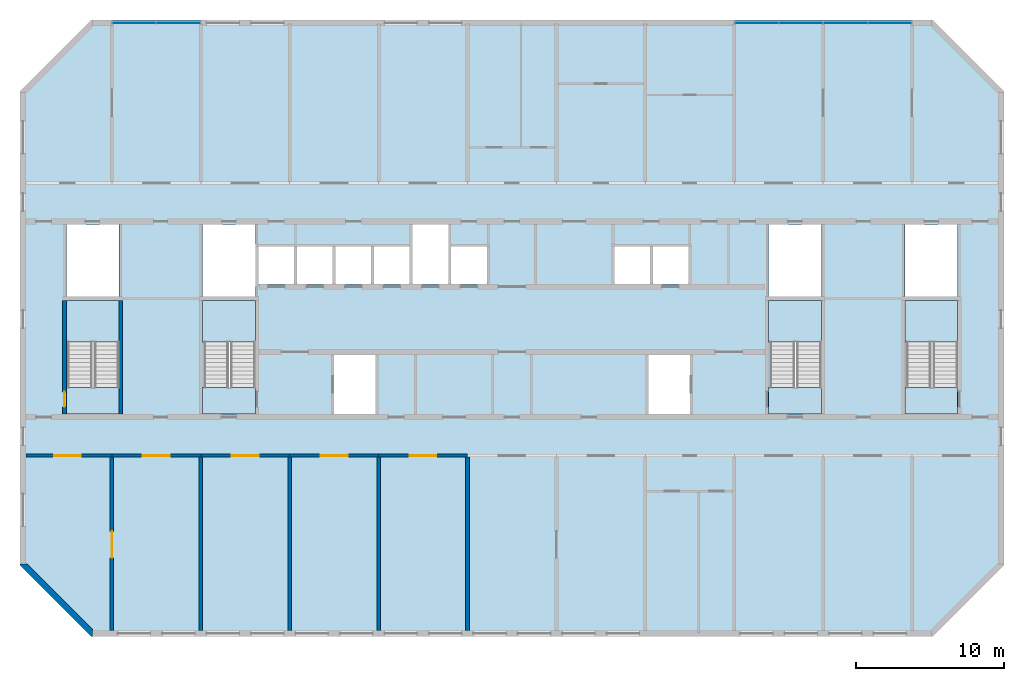
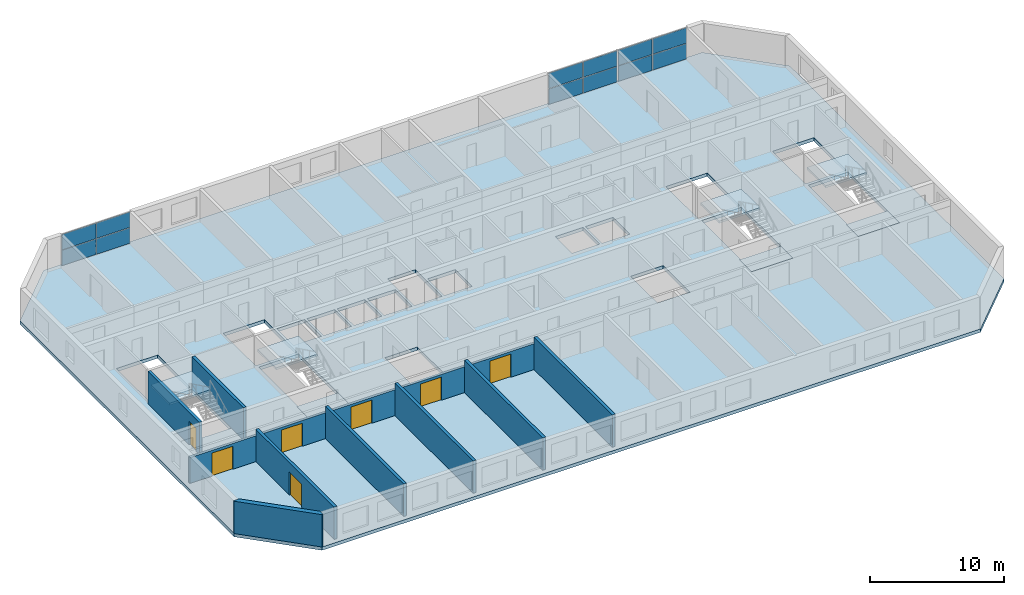
# One storey, part 4 of 13: 13 walls, 12 plates, 9 slabs, 7 doors, 7 openings, 7 elements without a shape of their own.
"""IFC4 building model written with IfcOpenShell, lengths in metres."""

from ifc_helpers import new_model, si_unit, direction, frame, frame_2d, origin, origin_2d, place, context, subcontext, project, spatial, polyline, rectangle, outline, extrude, source, transform, mapped, material, layer, layer_set, type_object, element, fill, aggregate, save


model = new_model("IFC4")

# Units and contexts
model_context = context("Model", 3, precision=1e-05, world=origin(), true_north=direction((0.0, 1.0)))
body_context = subcontext(model_context, "Body", "Model", "MODEL_VIEW")
ifc_project = project(units=[si_unit("LENGTHUNIT", "METRE"), si_unit("AREAUNIT", "SQUARE_METRE"), si_unit("VOLUMEUNIT", "CUBIC_METRE"), si_unit("PLANEANGLEUNIT", "RADIAN"), si_unit("MASSUNIT", "GRAM", prefix="KILO")], contexts=[model_context])

# Site, building, storey
site_placement = place(None, origin())
site = spatial("IfcSite", under=ifc_project, at=site_placement, CompositionType="ELEMENT")
building_placement = place(site_placement, origin())
building = spatial("IfcBuilding", under=site, at=building_placement, Name="Poui Terraces", CompositionType="ELEMENT")
storey_placement = place(building_placement, frame((0.0, 0.0, 211.5)))
storey = spatial("IfcBuildingStorey", under=building, at=storey_placement, Name="L59", CompositionType="ELEMENT", Elevation=211.5)

# Curtain wall, plates
ifc_material_1 = material(Name="Clear glass", Category="glass")
ifc_layer_1 = layer(ifc_material_1, 0.14990234375)
ifc_layer_set_1 = layer_set([ifc_layer_1], Name="Clear glass")
curtain_wall_type = type_object("IfcCurtainWallType", Name="CURTAIN WALL CW-C COMMUNITY HALL GLAZING", PredefinedType="NOTDEFINED", material=ifc_layer_set_1)
curtain_wall_1_placement = place(storey_placement, origin())
curtain_wall_1 = element("IfcCurtainWall", 1, at=curtain_wall_1_placement, inside=storey, type_object=curtain_wall_type, Name="CW-C COMMUNITY HALL GLAZING", PredefinedType="NOTDEFINED")
ifc_layer_2 = layer(ifc_material_1, 0.052001953125)
ifc_layer_set_2 = layer_set([ifc_layer_2], Name="Clear glass")
plate_type = type_object("IfcPlateType", Name="CW-C GLASS PANEL 52", PredefinedType="CURTAIN_PANEL", material=ifc_layer_set_2)
plate_1_placement = place(storey_placement, frame((28.487548828125, 41.199951171875, 0.050048828125), z_axis=(0.0, 0.0, 1.0), x_axis=(-1.0, 0.0, 0.0)))
plate_1 = element("IfcPlate", 2, at=plate_1_placement, type_object=plate_type, Name="CW-C panel 1.1", PredefinedType="CURTAIN_PANEL", context=body_context, shape_type="SweptSolid", body=[
    extrude(rectangle(XDim=2.925048828125, YDim=0.052001953125, at=origin_2d()), origin(), (0.0, 0.0, 1.0), 1.39990234375),
])
plate_2_placement = place(storey_placement, frame((28.487548828125, 41.199951171875, 1.5), z_axis=(0.0, 0.0, 1.0), x_axis=(-1.0, 0.0, 0.0)))
plate_2 = element("IfcPlate", 3, at=plate_2_placement, type_object=plate_type, Name="CW-C panel 1.2", PredefinedType="CURTAIN_PANEL", context=body_context, shape_type="SweptSolid", body=[
    extrude(rectangle(XDim=2.925048828125, YDim=0.052001953125, at=origin_2d()), origin(), (0.0, 0.0, 1.0), 1.39990234375),
])
plate_3_placement = place(storey_placement, frame((25.512451171875, 41.199951171875, 0.050048828125), z_axis=(0.0, 0.0, 1.0), x_axis=(-1.0, 0.0, 0.0)))
plate_3 = element("IfcPlate", 4, at=plate_3_placement, type_object=plate_type, Name="CW-C panel 2.1", PredefinedType="CURTAIN_PANEL", context=body_context, shape_type="SweptSolid", body=[
    extrude(rectangle(XDim=2.925048828125, YDim=0.052001953125, at=origin_2d()), origin(), (0.0, 0.0, 1.0), 1.39990234375),
])
plate_4_placement = place(storey_placement, frame((25.512451171875, 41.199951171875, 1.5), z_axis=(0.0, 0.0, 1.0), x_axis=(-1.0, 0.0, 0.0)))
plate_4 = element("IfcPlate", 5, at=plate_4_placement, type_object=plate_type, Name="CW-C panel 2.2", PredefinedType="CURTAIN_PANEL", context=body_context, shape_type="SweptSolid", body=[
    extrude(rectangle(XDim=2.925048828125, YDim=0.052001953125, at=origin_2d()), origin(), (0.0, 0.0, 1.0), 1.39990234375),
])
aggregate(curtain_wall_1, [plate_1, plate_2, plate_3, plate_4])

curtain_wall_2_placement = place(storey_placement, origin())
curtain_wall_2 = element("IfcCurtainWall", 6, at=curtain_wall_2_placement, inside=storey, type_object=curtain_wall_type, Name="CW-C COMMUNITY HALL GLAZING", PredefinedType="NOTDEFINED")
plate_5_placement = place(storey_placement, frame((70.487548828125, 41.199951171875, 0.050048828125), z_axis=(0.0, 0.0, 1.0), x_axis=(-1.0, 0.0, 0.0)))
plate_5 = element("IfcPlate", 7, at=plate_5_placement, type_object=plate_type, Name="CW-C panel 1.1", PredefinedType="CURTAIN_PANEL", context=body_context, shape_type="SweptSolid", body=[
    extrude(rectangle(XDim=2.925048828125, YDim=0.052001953125, at=origin_2d()), origin(), (0.0, 0.0, 1.0), 1.39990234375),
])
plate_6_placement = place(storey_placement, frame((70.487548828125, 41.199951171875, 1.5), z_axis=(0.0, 0.0, 1.0), x_axis=(-1.0, 0.0, 0.0)))
plate_6 = element("IfcPlate", 8, at=plate_6_placement, type_object=plate_type, Name="CW-C panel 1.2", PredefinedType="CURTAIN_PANEL", context=body_context, shape_type="SweptSolid", body=[
    extrude(rectangle(XDim=2.925048828125, YDim=0.052001953125, at=origin_2d()), origin(), (0.0, 0.0, 1.0), 1.39990234375),
])
plate_7_placement = place(storey_placement, frame((67.512451171875, 41.199951171875, 0.050048828125), z_axis=(0.0, 0.0, 1.0), x_axis=(-1.0, 0.0, 0.0)))
plate_7 = element("IfcPlate", 9, at=plate_7_placement, type_object=plate_type, Name="CW-C panel 2.1", PredefinedType="CURTAIN_PANEL", context=body_context, shape_type="SweptSolid", body=[
    extrude(rectangle(XDim=2.925048828125, YDim=0.052001953125, at=origin_2d()), origin(), (0.0, 0.0, 1.0), 1.39990234375),
])
plate_8_placement = place(storey_placement, frame((67.512451171875, 41.199951171875, 1.5), z_axis=(0.0, 0.0, 1.0), x_axis=(-1.0, 0.0, 0.0)))
plate_8 = element("IfcPlate", 10, at=plate_8_placement, type_object=plate_type, Name="CW-C panel 2.2", PredefinedType="CURTAIN_PANEL", context=body_context, shape_type="SweptSolid", body=[
    extrude(rectangle(XDim=2.925048828125, YDim=0.052001953125, at=origin_2d()), origin(), (0.0, 0.0, 1.0), 1.39990234375),
])
aggregate(curtain_wall_2, [plate_5, plate_6, plate_7, plate_8])

curtain_wall_3_placement = place(storey_placement, origin())
curtain_wall_3 = element("IfcCurtainWall", 11, at=curtain_wall_3_placement, inside=storey, type_object=curtain_wall_type, Name="CW-C COMMUNITY HALL GLAZING", PredefinedType="NOTDEFINED")
plate_9_placement = place(storey_placement, frame((76.487548828125, 41.199951171875, 0.050048828125), z_axis=(0.0, 0.0, 1.0), x_axis=(-1.0, 0.0, 0.0)))
plate_9 = element("IfcPlate", 12, at=plate_9_placement, type_object=plate_type, Name="CW-C panel 1.1", PredefinedType="CURTAIN_PANEL", context=body_context, shape_type="SweptSolid", body=[
    extrude(rectangle(XDim=2.925048828125, YDim=0.052001953125, at=origin_2d()), origin(), (0.0, 0.0, 1.0), 1.39990234375),
])
plate_10_placement = place(storey_placement, frame((76.487548828125, 41.199951171875, 1.5), z_axis=(0.0, 0.0, 1.0), x_axis=(-1.0, 0.0, 0.0)))
plate_10 = element("IfcPlate", 13, at=plate_10_placement, type_object=plate_type, Name="CW-C panel 1.2", PredefinedType="CURTAIN_PANEL", context=body_context, shape_type="SweptSolid", body=[
    extrude(rectangle(XDim=2.925048828125, YDim=0.052001953125, at=origin_2d()), origin(), (0.0, 0.0, 1.0), 1.39990234375),
])
plate_11_placement = place(storey_placement, frame((73.512451171875, 41.199951171875, 0.050048828125), z_axis=(0.0, 0.0, 1.0), x_axis=(-1.0, 0.0, 0.0)))
plate_11 = element("IfcPlate", 14, at=plate_11_placement, type_object=plate_type, Name="CW-C panel 2.1", PredefinedType="CURTAIN_PANEL", context=body_context, shape_type="SweptSolid", body=[
    extrude(rectangle(XDim=2.925048828125, YDim=0.052001953125, at=origin_2d()), origin(), (0.0, 0.0, 1.0), 1.39990234375),
])
plate_12_placement = place(storey_placement, frame((73.512451171875, 41.199951171875, 1.5), z_axis=(0.0, 0.0, 1.0), x_axis=(-1.0, 0.0, 0.0)))
plate_12 = element("IfcPlate", 15, at=plate_12_placement, type_object=plate_type, Name="CW-C panel 2.2", PredefinedType="CURTAIN_PANEL", context=body_context, shape_type="SweptSolid", body=[
    extrude(rectangle(XDim=2.925048828125, YDim=0.052001953125, at=origin_2d()), origin(), (0.0, 0.0, 1.0), 1.39990234375),
])
aggregate(curtain_wall_3, [plate_9, plate_10, plate_11, plate_12])

# Stair, slabs
ifc_material_2 = material(Name="Concrete 50 MPa", Category="concrete")
stair_type = type_object("IfcStairType", Name="EXIT STAIR 1650 50 MPA", PredefinedType="HALF_TURN_STAIR", material=ifc_material_2)
stair_1_placement = place(storey_placement, origin())
stair_1 = element("IfcStair", 16, at=stair_1_placement, inside=storey, type_object=stair_type, Name="L59 CORE STAIR EAST", PredefinedType="HALF_TURN_STAIR")
ifc_layer_3 = layer(ifc_material_2, 0.199951171875)
ifc_layer_set_3 = layer_set([ifc_layer_3], Name="Concrete 50 MPa")
slab_type_1 = type_object("IfcSlabType", Name="STAIR LANDING 200 50 MPA", PredefinedType="LANDING", material=ifc_layer_set_3)
slab_1_placement = place(storey_placement, frame((0.0, 0.0, 1.449951171875)))
slab_1 = element("IfcSlab", 17, at=slab_1_placement, type_object=slab_type_1, Name="ST-CE landing 1", PredefinedType="LANDING", context=body_context, shape_type="SweptSolid", body=[
    extrude(outline(polyline([(68.324951171875, 19.679931640625), (71.875, 19.679931640625), (71.875, 22.47509765625), (68.324951171875, 22.47509765625), (68.324951171875, 19.679931640625)])), origin(), (0.0, 0.0, 1.0), 0.199951171875),
])
slab_2_placement = place(storey_placement, frame((0.0, 0.0, -0.2001953125)))
slab_2 = element("IfcSlab", 18, at=slab_2_placement, type_object=slab_type_1, Name="ST-CE landing 2", PredefinedType="LANDING", context=body_context, shape_type="SweptSolid", body=[
    extrude(outline(polyline([(68.324951171875, 14.800048828125), (71.875, 14.800048828125), (71.875, 16.60009765625), (68.324951171875, 16.60009765625), (68.324951171875, 14.800048828125)])), origin(), (0.0, 0.0, 1.0), 0.2001953125),
])
aggregate(stair_1, [slab_1, slab_2])

stair_2_placement = place(storey_placement, origin())
stair_2 = element("IfcStair", 19, at=stair_2_placement, inside=storey, type_object=stair_type, Name="L59 CORE STAIR WEST", PredefinedType="HALF_TURN_STAIR")
slab_3_placement = place(storey_placement, frame((0.0, 0.0, 1.449951171875)))
slab_3 = element("IfcSlab", 20, at=slab_3_placement, type_object=slab_type_1, Name="ST-CW landing 1", PredefinedType="LANDING", context=body_context, shape_type="SweptSolid", body=[
    extrude(outline(polyline([(30.125, 19.679931640625), (33.675048828125, 19.679931640625), (33.675048828125, 22.47509765625), (30.125, 22.47509765625), (30.125, 19.679931640625)])), origin(), (0.0, 0.0, 1.0), 0.199951171875),
])
slab_4_placement = place(storey_placement, frame((0.0, 0.0, -0.2001953125)))
slab_4 = element("IfcSlab", 21, at=slab_4_placement, type_object=slab_type_1, Name="ST-CW landing 2", PredefinedType="LANDING", context=body_context, shape_type="SweptSolid", body=[
    extrude(outline(polyline([(30.125, 14.800048828125), (33.675048828125, 14.800048828125), (33.675048828125, 16.60009765625), (30.125, 16.60009765625), (30.125, 14.800048828125)])), origin(), (0.0, 0.0, 1.0), 0.2001953125),
])
aggregate(stair_2, [slab_3, slab_4])

stair_3_placement = place(storey_placement, origin())
stair_3 = element("IfcStair", 22, at=stair_3_placement, inside=storey, type_object=stair_type, Name="L59 TIP STAIR EAST", PredefinedType="HALF_TURN_STAIR")
slab_5_placement = place(storey_placement, frame((0.0, 0.0, 1.449951171875)))
slab_5 = element("IfcSlab", 23, at=slab_5_placement, type_object=slab_type_1, Name="ST-E landing 1", PredefinedType="LANDING", context=body_context, shape_type="SweptSolid", body=[
    extrude(outline(polyline([(77.52490234375, 19.679931640625), (81.074951171875, 19.679931640625), (81.074951171875, 22.47509765625), (77.52490234375, 22.47509765625), (77.52490234375, 19.679931640625)])), origin(), (0.0, 0.0, 1.0), 0.199951171875),
])
slab_6_placement = place(storey_placement, frame((0.0, 0.0, -0.2001953125)))
slab_6 = element("IfcSlab", 24, at=slab_6_placement, type_object=slab_type_1, Name="ST-E landing 2", PredefinedType="LANDING", context=body_context, shape_type="SweptSolid", body=[
    extrude(outline(polyline([(77.52490234375, 14.800048828125), (81.074951171875, 14.800048828125), (81.074951171875, 16.60009765625), (77.52490234375, 16.60009765625), (77.52490234375, 14.800048828125)])), origin(), (0.0, 0.0, 1.0), 0.2001953125),
])
aggregate(stair_3, [slab_5, slab_6])

stair_4_placement = place(storey_placement, origin())
stair_4 = element("IfcStair", 25, at=stair_4_placement, inside=storey, type_object=stair_type, Name="L59 TIP STAIR WEST", PredefinedType="HALF_TURN_STAIR")
slab_7_placement = place(storey_placement, frame((0.0, 0.0, 1.449951171875)))
slab_7 = element("IfcSlab", 26, at=slab_7_placement, type_object=slab_type_1, Name="ST-W landing 1", PredefinedType="LANDING", context=body_context, shape_type="SweptSolid", body=[
    extrude(outline(polyline([(20.925048828125, 19.679931640625), (24.47509765625, 19.679931640625), (24.47509765625, 22.47509765625), (20.925048828125, 22.47509765625), (20.925048828125, 19.679931640625)])), origin(), (0.0, 0.0, 1.0), 0.199951171875),
])
slab_8_placement = place(storey_placement, frame((0.0, 0.0, -0.2001953125)))
slab_8 = element("IfcSlab", 27, at=slab_8_placement, type_object=slab_type_1, Name="ST-W landing 2", PredefinedType="LANDING", context=body_context, shape_type="SweptSolid", body=[
    extrude(outline(polyline([(20.925048828125, 14.800048828125), (24.47509765625, 14.800048828125), (24.47509765625, 16.60009765625), (20.925048828125, 16.60009765625), (20.925048828125, 14.800048828125)])), origin(), (0.0, 0.0, 1.0), 0.2001953125),
])
aggregate(stair_4, [slab_7, slab_8])

# Slab
ifc_material_3 = material(Name="Concrete 40 MPa", Category="concrete")
ifc_layer_4 = layer(ifc_material_3, 0.300048828125)
ifc_layer_set_4 = layer_set([ifc_layer_4], Name="Concrete 40 MPa")
slab_type_2 = type_object("IfcSlabType", Name="FLOOR SLAB 300", PredefinedType="FLOOR", material=ifc_layer_set_4)
shared_shape = source(origin(), body_context, "Body", "SweptSolid", [
    extrude(outline(polyline([(0.0, 0.0), (4.800048828125, -4.800048828125), (61.599853515625, -4.800048828125), (66.39990234375, 0.0), (66.39990234375, 32.0), (61.599853515625, 36.7998046875), (4.800048828125, 36.7998046875), (0.0, 32.0), (0.0, 0.0)]), holes=[polyline([(21.199951171875, 10.199951171875), (21.199951171875, 14.199951171875), (24.0, 14.199951171875), (24.0, 10.199951171875), (21.199951171875, 10.199951171875)]), polyline([(3.224853515625, 17.849853515625), (6.675048828125, 17.849853515625), (6.675048828125, 12.0), (6.675048828125, 10.199951171875), (3.125, 10.199951171875), (3.125, 12.0), (3.224853515625, 12.0), (3.224853515625, 17.849853515625)]), polyline([(12.425048828125, 17.849853515625), (15.875, 17.849853515625), (15.875, 12.0), (15.875, 10.199951171875), (12.324951171875, 10.199951171875), (12.324951171875, 12.0), (12.425048828125, 12.0), (12.425048828125, 17.849853515625)]), polyline([(16.099853515625, 19.0), (16.099853515625, 21.5), (18.5, 21.5), (18.5, 19.0), (16.099853515625, 19.0)]), polyline([(18.699951171875, 19.0), (18.699951171875, 21.5), (21.099853515625, 21.5), (21.099853515625, 19.0), (18.699951171875, 19.0)]), polyline([(21.300048828125, 19.0), (21.300048828125, 21.5), (23.699951171875, 21.5), (23.699951171875, 19.0), (21.300048828125, 19.0)]), polyline([(23.89990234375, 19.0), (23.89990234375, 21.5), (26.300048828125, 21.5), (26.300048828125, 19.0), (23.89990234375, 19.0)]), polyline([(3.125, 23.0), (6.675048828125, 23.0), (6.675048828125, 18.125), (3.125, 18.125), (3.125, 23.0)]), polyline([(12.324951171875, 23.0), (15.875, 23.0), (15.875, 18.125), (12.324951171875, 18.125), (12.324951171875, 23.0)]), polyline([(42.39990234375, 10.199951171875), (42.39990234375, 14.199951171875), (45.199951171875, 14.199951171875), (45.199951171875, 10.199951171875), (42.39990234375, 10.199951171875)]), polyline([(50.625, 17.849853515625), (54.074951171875, 17.849853515625), (54.074951171875, 12.0), (54.074951171875, 10.199951171875), (50.52490234375, 10.199951171875), (50.52490234375, 12.0), (50.625, 12.0), (50.625, 17.849853515625)]), polyline([(59.824951171875, 17.849853515625), (63.27490234375, 17.849853515625), (63.27490234375, 12.0), (63.27490234375, 10.199951171875), (59.724853515625, 10.199951171875), (59.724853515625, 12.0), (59.824951171875, 12.0), (59.824951171875, 17.849853515625)]), polyline([(29.099853515625, 19.0), (29.099853515625, 21.5), (31.5, 21.5), (31.5, 19.0), (29.099853515625, 19.0)]), polyline([(40.099853515625, 19.0), (40.099853515625, 21.5), (42.5, 21.5), (42.5, 19.0), (40.099853515625, 19.0)]), polyline([(42.699951171875, 19.0), (42.699951171875, 21.5), (45.099853515625, 21.5), (45.099853515625, 19.0), (42.699951171875, 19.0)]), polyline([(50.52490234375, 18.125), (50.52490234375, 23.0), (54.074951171875, 23.0), (54.074951171875, 18.125), (50.52490234375, 18.125)]), polyline([(59.724853515625, 23.0), (63.27490234375, 23.0), (63.27490234375, 18.125), (59.724853515625, 18.125), (59.724853515625, 23.0)]), polyline([(26.5, 23.0), (28.89990234375, 23.0), (28.89990234375, 19.0), (26.5, 19.0), (26.5, 23.0)])]), origin(), (0.0, 0.0, 1.0), 0.300048828125),
])
slab_9_placement = place(storey_placement, frame((17.800048828125, 4.60009765625, -0.300048828125)))
element("IfcSlab", 28, at=slab_9_placement, inside=storey, type_object=slab_type_2, Name="FLOOR SLAB", PredefinedType="FLOOR", context=body_context, shape_type="MappedRepresentation", body=[
    mapped(shared_shape, transform((0.0, 0.0, 0.0))),
])

# Wall, opening, door
ifc_layer_5 = layer(ifc_material_2, 0.199951171875)
ifc_layer_set_5 = layer_set([ifc_layer_5], Name="Concrete 50 MPa")
wall_type_1 = type_object("IfcWallType", Name="CORRIDOR WALL 200 50MPa", PredefinedType="SHEAR", material=ifc_layer_set_5)
wall_1_placement = place(storey_placement, frame((18.199951171875, 12.0, 0.0), z_axis=(0.0, 0.0, 1.0), x_axis=(1.0, 0.0, 0.0)))
wall_1 = element("IfcWall", 29, at=wall_1_placement, inside=storey, type_object=wall_type_1, Name="CORRIDOR WALL LINE B BAY 1", PredefinedType="SHEAR", context=body_context, shape_type="SweptSolid", body=[
    extrude(rectangle(XDim=5.800048828125, YDim=0.199951171875, at=frame_2d((2.89990234375, 0.0))), origin(), (0.0, 0.0, 1.0), 2.35009765625),
])
opening_1_placement = place(wall_1_placement, frame((1.89990234375, 0.0, 0.0)))
opening_1 = element("IfcOpeningElement", 30, at=opening_1_placement, cuts=wall_1, Name="Opening DD180", PredefinedType="OPENING", context=body_context, shape_type="SweptSolid", body=[
    extrude(rectangle(XDim=1.800048828125, YDim=2.10009765625, at=frame_2d((0.89990234375, 1.050048828125))), frame((0.0, 0.10986328125, 0.0), z_axis=(0.0, -1.0, 0.0), x_axis=(1.0, 0.0, 0.0)), (0.0, 0.0, 1.0), 0.219970703125),
])
ifc_material_4 = material(Name="Steel fire door", Category="steel")
door_type_1 = type_object("IfcDoorType", Name="DOUBLE INTERNAL DOOR 1800 X 2100", OperationType="DOUBLE_DOOR_SINGLE_SWING", PredefinedType="DOOR", material=ifc_material_4)
door_1_placement = place(opening_1_placement, origin())
door_1 = element("IfcDoor", 31, at=door_1_placement, inside=storey, type_object=door_type_1, Name="DOUBLE INTERNAL DOOR 029", OperationType="DOUBLE_DOOR_SINGLE_SWING", OverallHeight=2.10009765625, OverallWidth=1.800048828125, PredefinedType="DOOR", context=body_context, shape_type="SweptSolid", body=[
    extrude(rectangle(XDim=1.800048828125, YDim=2.10009765625, at=frame_2d((0.89990234375, 1.050048828125))), frame((0.0, 0.02490234375, 0.0), z_axis=(0.0, -1.0, 0.0), x_axis=(1.0, 0.0, 0.0)), (0.0, 0.0, 1.0), 0.050048828125),
])
fill(opening_1, door_1)

wall_2_placement = place(storey_placement, frame((24.0, 12.0, 0.0), z_axis=(0.0, 0.0, 1.0), x_axis=(1.0, 0.0, 0.0)))
wall_2 = element("IfcWall", 32, at=wall_2_placement, inside=storey, type_object=wall_type_1, Name="CORRIDOR WALL LINE B BAY 2", PredefinedType="SHEAR", context=body_context, shape_type="SweptSolid", body=[
    extrude(rectangle(XDim=6.0, YDim=0.199951171875, at=frame_2d((3.0, 0.0))), origin(), (0.0, 0.0, 1.0), 2.35009765625),
])
opening_2_placement = place(wall_2_placement, frame((2.10009765625, 0.0, 0.0)))
opening_2 = element("IfcOpeningElement", 33, at=opening_2_placement, cuts=wall_2, Name="Opening DD180", PredefinedType="OPENING", context=body_context, shape_type="SweptSolid", body=[
    extrude(rectangle(XDim=1.800048828125, YDim=2.10009765625, at=frame_2d((0.89990234375, 1.050048828125))), frame((0.0, 0.10986328125, 0.0), z_axis=(0.0, -1.0, 0.0), x_axis=(1.0, 0.0, 0.0)), (0.0, 0.0, 1.0), 0.219970703125),
])
door_2_placement = place(opening_2_placement, origin())
door_2 = element("IfcDoor", 34, at=door_2_placement, inside=storey, type_object=door_type_1, Name="DOUBLE INTERNAL DOOR 030", OperationType="DOUBLE_DOOR_SINGLE_SWING", OverallHeight=2.10009765625, OverallWidth=1.800048828125, PredefinedType="DOOR", context=body_context, shape_type="SweptSolid", body=[
    extrude(rectangle(XDim=1.800048828125, YDim=2.10009765625, at=frame_2d((0.89990234375, 1.050048828125))), frame((0.0, 0.02490234375, 0.0), z_axis=(0.0, -1.0, 0.0), x_axis=(1.0, 0.0, 0.0)), (0.0, 0.0, 1.0), 0.050048828125),
])
fill(opening_2, door_2)

wall_3_placement = place(storey_placement, frame((30.0, 12.0, 0.0), z_axis=(0.0, 0.0, 1.0), x_axis=(1.0, 0.0, 0.0)))
wall_3 = element("IfcWall", 35, at=wall_3_placement, inside=storey, type_object=wall_type_1, Name="CORRIDOR WALL LINE B BAY 3", PredefinedType="SHEAR", context=body_context, shape_type="SweptSolid", body=[
    extrude(rectangle(XDim=6.0, YDim=0.199951171875, at=frame_2d((3.0, 0.0))), origin(), (0.0, 0.0, 1.0), 2.35009765625),
])
opening_3_placement = place(wall_3_placement, frame((2.10009765625, 0.0, 0.0)))
opening_3 = element("IfcOpeningElement", 36, at=opening_3_placement, cuts=wall_3, Name="Opening DD180", PredefinedType="OPENING", context=body_context, shape_type="SweptSolid", body=[
    extrude(rectangle(XDim=1.800048828125, YDim=2.10009765625, at=frame_2d((0.89990234375, 1.050048828125))), frame((0.0, 0.10986328125, 0.0), z_axis=(0.0, -1.0, 0.0), x_axis=(1.0, 0.0, 0.0)), (0.0, 0.0, 1.0), 0.219970703125),
])
door_3_placement = place(opening_3_placement, origin())
door_3 = element("IfcDoor", 37, at=door_3_placement, inside=storey, type_object=door_type_1, Name="DOUBLE INTERNAL DOOR 033", OperationType="DOUBLE_DOOR_SINGLE_SWING", OverallHeight=2.10009765625, OverallWidth=1.800048828125, PredefinedType="DOOR", context=body_context, shape_type="SweptSolid", body=[
    extrude(rectangle(XDim=1.800048828125, YDim=2.10009765625, at=frame_2d((0.89990234375, 1.050048828125))), frame((0.0, 0.02490234375, 0.0), z_axis=(0.0, -1.0, 0.0), x_axis=(1.0, 0.0, 0.0)), (0.0, 0.0, 1.0), 0.050048828125),
])
fill(opening_3, door_3)

wall_4_placement = place(storey_placement, frame((36.0, 12.0, 0.0), z_axis=(0.0, 0.0, 1.0), x_axis=(1.0, 0.0, 0.0)))
wall_4 = element("IfcWall", 38, at=wall_4_placement, inside=storey, type_object=wall_type_1, Name="CORRIDOR WALL LINE B BAY 4", PredefinedType="SHEAR", context=body_context, shape_type="SweptSolid", body=[
    extrude(rectangle(XDim=6.0, YDim=0.199951171875, at=frame_2d((3.0, 0.0))), origin(), (0.0, 0.0, 1.0), 2.35009765625),
])
opening_4_placement = place(wall_4_placement, frame((2.10009765625, 0.0, 0.0)))
opening_4 = element("IfcOpeningElement", 39, at=opening_4_placement, cuts=wall_4, Name="Opening DD180", PredefinedType="OPENING", context=body_context, shape_type="SweptSolid", body=[
    extrude(rectangle(XDim=1.800048828125, YDim=2.10009765625, at=frame_2d((0.89990234375, 1.050048828125))), frame((0.0, 0.10986328125, 0.0), z_axis=(0.0, -1.0, 0.0), x_axis=(1.0, 0.0, 0.0)), (0.0, 0.0, 1.0), 0.219970703125),
])
door_4_placement = place(opening_4_placement, origin())
door_4 = element("IfcDoor", 40, at=door_4_placement, inside=storey, type_object=door_type_1, Name="DOUBLE INTERNAL DOOR 034", OperationType="DOUBLE_DOOR_SINGLE_SWING", OverallHeight=2.10009765625, OverallWidth=1.800048828125, PredefinedType="DOOR", context=body_context, shape_type="SweptSolid", body=[
    extrude(rectangle(XDim=1.800048828125, YDim=2.10009765625, at=frame_2d((0.89990234375, 1.050048828125))), frame((0.0, 0.02490234375, 0.0), z_axis=(0.0, -1.0, 0.0), x_axis=(1.0, 0.0, 0.0)), (0.0, 0.0, 1.0), 0.050048828125),
])
fill(opening_4, door_4)

wall_5_placement = place(storey_placement, frame((42.0, 12.0, 0.0), z_axis=(0.0, 0.0, 1.0), x_axis=(1.0, 0.0, 0.0)))
wall_5 = element("IfcWall", 41, at=wall_5_placement, inside=storey, type_object=wall_type_1, Name="CORRIDOR WALL LINE B BAY 5", PredefinedType="SHEAR", context=body_context, shape_type="SweptSolid", body=[
    extrude(rectangle(XDim=6.0, YDim=0.199951171875, at=frame_2d((3.0, 0.0))), origin(), (0.0, 0.0, 1.0), 2.35009765625),
])
opening_5_placement = place(wall_5_placement, frame((2.10009765625, 0.0, 0.0)))
opening_5 = element("IfcOpeningElement", 42, at=opening_5_placement, cuts=wall_5, Name="Opening DD180", PredefinedType="OPENING", context=body_context, shape_type="SweptSolid", body=[
    extrude(rectangle(XDim=1.800048828125, YDim=2.10009765625, at=frame_2d((0.89990234375, 1.050048828125))), frame((0.0, 0.10986328125, 0.0), z_axis=(0.0, -1.0, 0.0), x_axis=(1.0, 0.0, 0.0)), (0.0, 0.0, 1.0), 0.219970703125),
])
door_5_placement = place(opening_5_placement, origin())
door_5 = element("IfcDoor", 43, at=door_5_placement, inside=storey, type_object=door_type_1, Name="DOUBLE INTERNAL DOOR 036", OperationType="DOUBLE_DOOR_SINGLE_SWING", OverallHeight=2.10009765625, OverallWidth=1.800048828125, PredefinedType="DOOR", context=body_context, shape_type="SweptSolid", body=[
    extrude(rectangle(XDim=1.800048828125, YDim=2.10009765625, at=frame_2d((0.89990234375, 1.050048828125))), frame((0.0, 0.02490234375, 0.0), z_axis=(0.0, -1.0, 0.0), x_axis=(1.0, 0.0, 0.0)), (0.0, 0.0, 1.0), 0.050048828125),
])
fill(opening_5, door_5)

ifc_layer_6 = layer(ifc_material_2, 0.25)
ifc_layer_set_6 = layer_set([ifc_layer_6], Name="Concrete 50 MPa")
wall_type_2 = type_object("IfcWallType", Name="CROSS WALL 250 50MPa", PredefinedType="SHEAR", material=ifc_layer_set_6)
wall_6_placement = place(storey_placement, frame((24.0, 0.199951171875, 0.0), z_axis=(0.0, 0.0, 1.0), x_axis=(0.0, 1.0, 0.0)))
wall_6 = element("IfcWall", 44, at=wall_6_placement, inside=storey, type_object=wall_type_2, Name="CROSS WALL LINE 5 SOUTH", PredefinedType="SHEAR", context=body_context, shape_type="SweptSolid", body=[
    extrude(rectangle(XDim=11.699951171875, YDim=0.25, at=frame_2d((5.85009765625, 0.0))), origin(), (0.0, 0.0, 1.0), 2.949951171875),
])
opening_6_placement = place(wall_6_placement, frame((4.89990234375, 0.0, 0.0)))
opening_6 = element("IfcOpeningElement", 45, at=opening_6_placement, cuts=wall_6, Name="Opening DD180", PredefinedType="OPENING", context=body_context, shape_type="SweptSolid", body=[
    extrude(rectangle(XDim=1.800048828125, YDim=2.10009765625, at=frame_2d((0.89990234375, 1.050048828125))), frame((0.0, 0.135009765625, 0.0), z_axis=(0.0, -1.0, 0.0), x_axis=(1.0, 0.0, 0.0)), (0.0, 0.0, 1.0), 0.27001953125),
])
door_6_placement = place(opening_6_placement, origin())
door_6 = element("IfcDoor", 46, at=door_6_placement, inside=storey, type_object=door_type_1, Name="DOUBLE INTERNAL DOOR 056", OperationType="DOUBLE_DOOR_SINGLE_SWING", OverallHeight=2.10009765625, OverallWidth=1.800048828125, PredefinedType="DOOR", context=body_context, shape_type="SweptSolid", body=[
    extrude(rectangle(XDim=1.800048828125, YDim=2.10009765625, at=frame_2d((0.89990234375, 1.050048828125))), frame((0.0, 0.02490234375, 0.0), z_axis=(0.0, -1.0, 0.0), x_axis=(1.0, 0.0, 0.0)), (0.0, 0.0, 1.0), 0.050048828125),
])
fill(opening_6, door_6)

# Walls
for number, where, z_axis, x_axis, name in (
    (47, (30.0, 0.199951171875, 0.0), (0.0, 0.0, 1.0), (0.0, 1.0, 0.0), "CROSS WALL LINE 6 SOUTH"),
    (48, (36.0, 0.199951171875, 0.0), (0.0, 0.0, 1.0), (0.0, 1.0, 0.0), "CROSS WALL LINE 7 SOUTH"),
    (49, (42.0, 0.199951171875, 0.0), (0.0, 0.0, 1.0), (0.0, 1.0, 0.0), "CROSS WALL LINE 8 SOUTH"),
    (50, (48.0, 0.199951171875, 0.0), (0.0, 0.0, 1.0), (0.0, 1.0, 0.0), "CROSS WALL LINE 9 SOUTH"),
):
    element("IfcWall", number, at=place(storey_placement, frame(where, z_axis=z_axis, x_axis=x_axis)), inside=storey, type_object=wall_type_2, Name=name, PredefinedType="SHEAR", context=body_context, shape_type="SweptSolid", body=[
        extrude(rectangle(XDim=11.699951171875, YDim=0.25, at=frame_2d((5.85009765625, 0.0))), origin(), (0.0, 0.0, 1.0), 2.949951171875),
    ])

# Wall, opening, door
ifc_layer_7 = layer(ifc_material_2, 0.25)
ifc_layer_set_7 = layer_set([ifc_layer_7], Name="Concrete 50 MPa")
wall_type_3 = type_object("IfcWallType", Name="STAIR CORE WALL 250 50 MPA", PredefinedType="SOLIDWALL", material=ifc_layer_set_7)
wall_7_placement = place(storey_placement, frame((20.800048828125, 14.800048828125, 0.0), z_axis=(0.0, 0.0, 1.0), x_axis=(0.0, 1.0, 0.0)))
wall_7 = element("IfcWall", 51, at=wall_7_placement, inside=storey, type_object=wall_type_3, Name="STAIR CORE WALL", PredefinedType="SOLIDWALL", context=body_context, shape_type="SweptSolid", body=[
    extrude(rectangle(XDim=7.675048828125, YDim=0.25, at=frame_2d((3.83740234375, 0.0))), origin(), (0.0, 0.0, 1.0), 2.949951171875),
])
opening_7_placement = place(wall_7_placement, frame((0.5, 0.0, 0.0)))
opening_7 = element("IfcOpeningElement", 52, at=opening_7_placement, cuts=wall_7, Name="Opening FD60S", PredefinedType="OPENING", context=body_context, shape_type="SweptSolid", body=[
    extrude(rectangle(XDim=1.0, YDim=2.10009765625, at=frame_2d((0.5, 1.050048828125))), frame((0.0, 0.135009765625, 0.0), z_axis=(0.0, -1.0, 0.0), x_axis=(1.0, 0.0, 0.0)), (0.0, 0.0, 1.0), 0.27001953125),
])
door_type_2 = type_object("IfcDoorType", Name="STAIR DOOR 1000 X 2100", OperationType="NOTDEFINED", PredefinedType="DOOR", material=ifc_material_4)
door_7_placement = place(opening_7_placement, frame((1.0, 0.0, 0.0), z_axis=(0.0, 0.0, 1.0), x_axis=(-1.0, 0.0, 0.0)))
door_7 = element("IfcDoor", 53, at=door_7_placement, inside=storey, type_object=door_type_2, Name="STAIR DOOR 076", OperationType="SINGLE_SWING_RIGHT", OverallHeight=2.10009765625, OverallWidth=1.0, PredefinedType="DOOR", context=body_context, shape_type="SweptSolid", body=[
    extrude(rectangle(XDim=1.0, YDim=2.10009765625, at=frame_2d((0.5, 1.050048828125))), frame((0.0, 0.02490234375, 0.0), z_axis=(0.0, -1.0, 0.0), x_axis=(1.0, 0.0, 0.0)), (0.0, 0.0, 1.0), 0.050048828125),
])
fill(opening_7, door_7)

# Walls
wall_8_placement = place(storey_placement, frame((24.60009765625, 14.800048828125, 0.0), z_axis=(0.0, 0.0, 1.0), x_axis=(0.0, 1.0, 0.0)))
element("IfcWall", 54, at=wall_8_placement, inside=storey, type_object=wall_type_3, Name="STAIR CORE WALL", PredefinedType="SOLIDWALL", context=body_context, shape_type="SweptSolid", body=[
    extrude(rectangle(XDim=7.675048828125, YDim=0.25, at=frame_2d((3.83740234375, 0.0))), origin(), (0.0, 0.0, 1.0), 2.949951171875),
])
ifc_material_5 = material(Name="Precast concrete 40 MPa", Category="concrete")
ifc_layer_8 = layer(ifc_material_5, 0.39990234375)
ifc_layer_set_8 = layer_set([ifc_layer_8], Name="Precast concrete 40 MPa")
wall_type_4 = type_object("IfcWallType", Name="TERRACOTTA CLAD CHAMFER WALL 400", PredefinedType="STANDARD", material=ifc_layer_set_8)
wall_9_placement = place(storey_placement, origin())
element("IfcWall", 55, at=wall_9_placement, inside=storey, type_object=wall_type_4, Name="CHAMFER WALL CH07", PredefinedType="STANDARD", context=body_context, shape_type="SweptSolid", body=[
    extrude(outline(polyline([(17.800048828125, 4.682861328125), (17.800048828125, 4.60009765625), (22.60009765625, -0.199951171875), (22.682861328125, -0.199951171875), (22.682861328125, 0.28271484375), (18.28271484375, 4.682861328125), (17.800048828125, 4.682861328125)])), origin(), (0.0, 0.0, 1.0), 2.949951171875),
])

save(model, "model.ifc")
